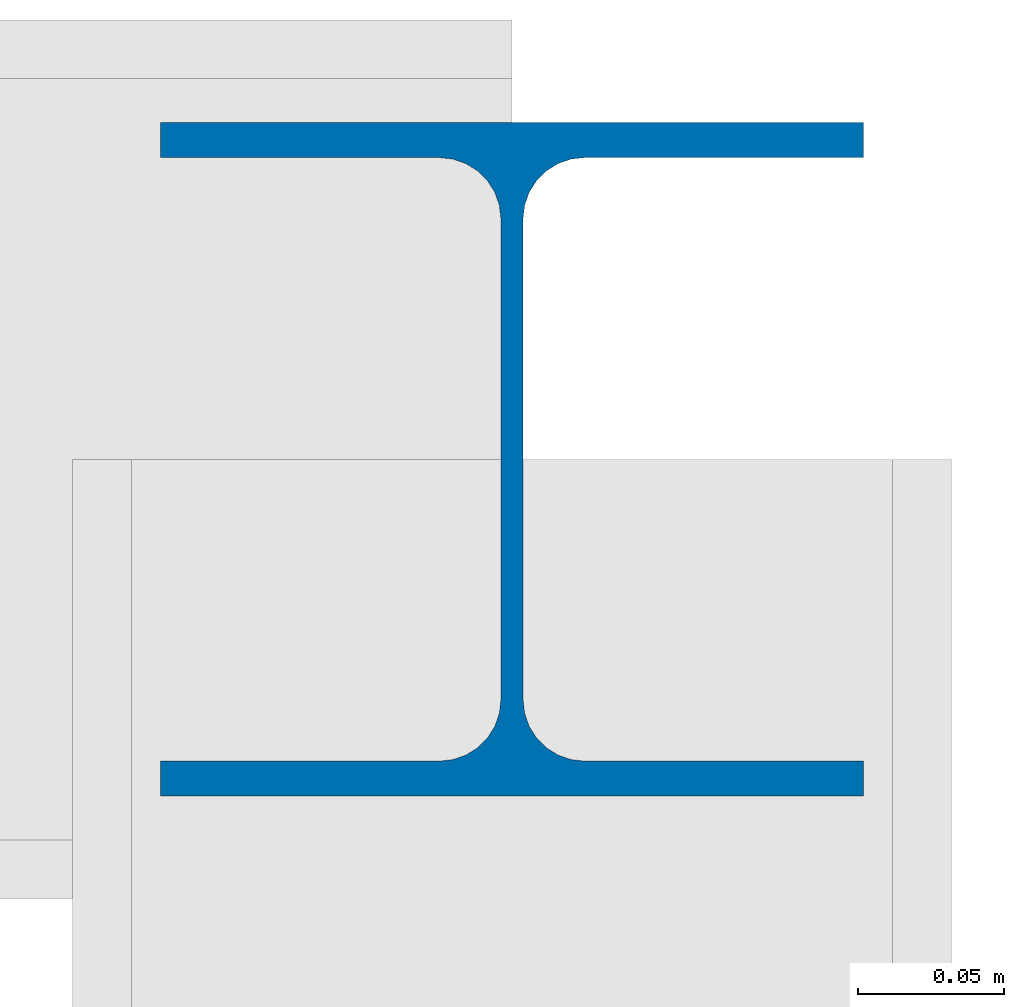
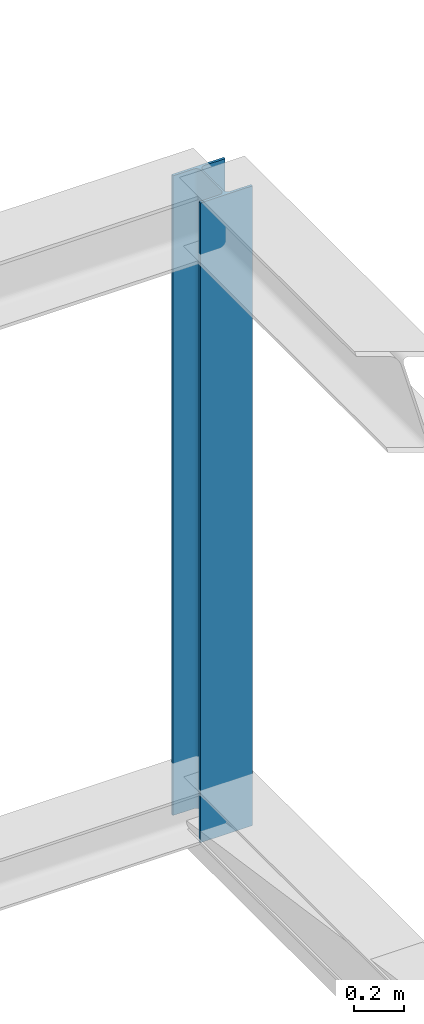
# One storey, part 8 of 34: 1 column.
"""IFC4 building model written with IfcOpenShell, lengths in metres."""

import ifcopenshell
import ifcopenshell.guid

model = None  # the IFC model being written
_history = None  # IfcOwnerHistory: only IFC2X3 demands one
_inside = {}  # id of a spatial element -> (the spatial element, [elements in it])
_under = {}  # id of a project, library or spatial element -> (it, [spatial elements below it])
_declared = {}  # id of a project -> (the project, [libraries it declares])
_typed = {}  # id of a type object -> (the type object, [elements of that type])
_made_of = {}  # id of a material, layer set ... -> (it, [elements and type objects made of it])


def new_model(schema):
    """Start an empty IFC model of exactly this schema.

    Asked for "IFC4X3", IfcOpenShell would pick the latest addendum, in which some entities
    have other attributes; the version numbers below select the first issue.
    IFC2X3 requires an IfcOwnerHistory on every rooted entity: one is made here for all.
    """
    global model, _history
    if schema == "IFC4X3":
        model = ifcopenshell.file(schema_version=(4, 3, 0, 0))
    else:
        model = ifcopenshell.file(schema=schema)
    _inside.clear()
    _under.clear()
    _declared.clear()
    _typed.clear()
    _made_of.clear()
    _history = None
    if model.schema == "IFC2X3":
        org = make("IfcOrganization", Name="unknown")
        user = make(
            "IfcPersonAndOrganization",
            ThePerson=make("IfcPerson", FamilyName="unknown"),
            TheOrganization=org,
        )
        app = make(
            "IfcApplication",
            ApplicationDeveloper=org,
            Version="unknown",
            ApplicationFullName="unknown",
            ApplicationIdentifier="unknown",
        )
        _history = make(
            "IfcOwnerHistory",
            OwningUser=user,
            OwningApplication=app,
            ChangeAction="ADDED",
            CreationDate=0,
        )
    return model


def make(cls, **values):
    """One entity of the class cls with the attributes given. An attribute that is None is left unset."""
    return model.create_entity(
        cls, **{name: value for name, value in values.items() if value is not None}
    )


def rooted(cls, **values):
    """An entity with a GlobalId (a new one), such as an element, a storey or a relation."""
    return make(cls, GlobalId=ifcopenshell.guid.new(), OwnerHistory=_history, **values)


def si_unit(unit_type, name, prefix=None):
    """IfcSIUnit, for example si_unit("LENGTHUNIT", "METRE", prefix="MILLI")."""
    return make("IfcSIUnit", UnitType=unit_type, Prefix=prefix, Name=name)


def assignment(units):
    """IfcUnitAssignment: the units of a project."""
    return None if units is None else make("IfcUnitAssignment", Units=units)


def point(xyz):
    """IfcCartesianPoint."""
    return None if xyz is None else make("IfcCartesianPoint", Coordinates=xyz)


def direction(xyz):
    """IfcDirection."""
    return None if xyz is None else make("IfcDirection", DirectionRatios=xyz)


def frame(location, z_axis=None, x_axis=None):
    """IfcAxis2Placement3D, a coordinate frame: its origin and axes. An axis left out is left unset."""
    return make(
        "IfcAxis2Placement3D",
        Location=point(location),
        Axis=direction(z_axis),
        RefDirection=direction(x_axis),
    )


def frame_2d(location, x_axis=None):
    """IfcAxis2Placement2D, a coordinate frame in the plane: its origin and x axis."""
    return make(
        "IfcAxis2Placement2D", Location=point(location), RefDirection=direction(x_axis)
    )


def origin():
    """The frame at (0, 0, 0) with its axes left unset."""
    return frame((0.0, 0.0, 0.0))


def origin_2d():
    """The frame at (0, 0) in the plane with its x axis left unset."""
    return frame_2d((0.0, 0.0))


def place(relative_to, where):
    """IfcLocalPlacement: puts the frame where relative to a parent placement (None: the world)."""
    return make(
        "IfcLocalPlacement", PlacementRelTo=relative_to, RelativePlacement=where
    )


def context(
    kind, dimensions, precision=None, world=None, true_north=None, identifier=None
):
    """IfcGeometricRepresentationContext, for example the 3D "Model" context."""
    return make(
        "IfcGeometricRepresentationContext",
        ContextIdentifier=identifier,
        ContextType=kind,
        CoordinateSpaceDimension=dimensions,
        Precision=precision,
        WorldCoordinateSystem=world,
        TrueNorth=true_north,
    )


def subcontext(parent, identifier, kind, view, scale=None):
    """IfcGeometricRepresentationSubContext, for example "Body" below "Model"."""
    return make(
        "IfcGeometricRepresentationSubContext",
        ContextIdentifier=identifier,
        ContextType=kind,
        ParentContext=parent,
        TargetScale=scale,
        TargetView=view,
    )


def project(units=None, contexts=None):
    """IfcProject with its units and contexts."""
    return rooted(
        "IfcProject",
        Name="project",
        RepresentationContexts=contexts,
        UnitsInContext=assignment(units),
    )


def spatial(cls, under=None, at=None, **own):
    """A site, building, storey or space (cls), placed at a placement, below another one or the project."""
    s = rooted(cls, ObjectPlacement=at, **own)
    if under is not None:
        _under.setdefault(under.id(), (under, []))[1].append(s)
    return s


def profile(cls, at=None, kind="AREA", **sizes):
    """A parametric profile (cls). Its sizes go by their IFC names, for example OverallWidth=200.0."""
    return make(cls, ProfileType=kind, Position=at, **sizes)


def i_section(**sizes):
    """IfcIShapeProfileDef."""
    return profile("IfcIShapeProfileDef", **sizes)


def extrude(swept, where, along, depth):
    """IfcExtrudedAreaSolid: the profile swept, set in the frame where, extruded along a direction by depth."""
    return make(
        "IfcExtrudedAreaSolid",
        SweptArea=swept,
        Position=where,
        ExtrudedDirection=direction(along),
        Depth=depth,
    )


def shape(context_of_items, identifier, shape_type, items):
    """IfcShapeRepresentation: the items that make up one representation, for example the "Body"."""
    return make(
        "IfcShapeRepresentation",
        ContextOfItems=context_of_items,
        RepresentationIdentifier=identifier,
        RepresentationType=shape_type,
        Items=items,
    )


def material(Name=None, Category=None):
    """IfcMaterial."""
    return make("IfcMaterial", Name=Name, Category=Category)


def material_profile(
    of_material, cross_section, Name=None, Category=None, Priority=None
):
    """IfcMaterialProfile: a cross section and its material."""
    return make(
        "IfcMaterialProfile",
        Name=Name,
        Material=of_material,
        Profile=cross_section,
        Priority=Priority,
        Category=Category,
    )


def profile_set(profiles, Name=None, composite=None):
    """IfcMaterialProfileSet."""
    return make(
        "IfcMaterialProfileSet",
        Name=Name,
        MaterialProfiles=profiles,
        CompositeProfile=composite,
    )


def made_of(thing, what):
    """Note that an element or type object is made of a material, layer set ...; save() writes the relation."""
    if what is not None:
        _made_of.setdefault(what.id(), (what, []))[1].append(thing)
    return thing


def type_object(cls, material=None, **own):
    """A type object (cls), such as IfcWallType, which elements share."""
    return made_of(rooted(cls, **own), material)


def element(
    cls,
    number,
    at=None,
    inside=None,
    cuts=None,
    type_object=None,
    material=None,
    context=None,
    identifier="Body",
    shape_type=None,
    held_by="IfcProductDefinitionShape",
    body=None,
    shapes=None,
    **own,
):
    """One element of the class cls, such as IfcWall. Its Tag is "e" and its number.

    at: its placement. inside: the storey or other place that contains it. cuts: it is an
    opening in that element (IfcRelVoidsElement). A single representation is given by context,
    identifier, shape_type and body (its items); several are given by shapes. held_by: the class
    of the entity that holds the representations. save() writes the other relations.
    """
    e = rooted(cls, Tag="e%d" % number, ObjectPlacement=at, **own)
    if body is not None:
        shapes = [shape(context, identifier, shape_type, body)]
    if shapes is not None:
        e.Representation = make(held_by, Representations=shapes)
    if inside is not None:
        _inside.setdefault(inside.id(), (inside, []))[1].append(e)
    if cuts is not None:
        rooted(
            "IfcRelVoidsElement", RelatingBuildingElement=cuts, RelatedOpeningElement=e
        )
    if type_object is not None:
        _typed.setdefault(type_object.id(), (type_object, []))[1].append(e)
    return made_of(e, material)


def aggregate(whole, parts):
    """IfcRelAggregates: a whole, such as a stair, and the parts it consists of."""
    return rooted("IfcRelAggregates", RelatingObject=whole, RelatedObjects=parts)


def save(model, path):
    """Write the relations noted so far, then the file.

    IfcRelAggregates (storeys below a building ...), IfcRelContainedInSpatialStructure (elements
    in a storey), IfcRelDefinesByType, IfcRelAssociatesMaterial and IfcRelDeclares: one each for
    every whole, place, type object, material and project.
    """
    for whole, parts in _under.values():
        aggregate(whole, parts)
    for where, things in _inside.values():
        rooted(
            "IfcRelContainedInSpatialStructure",
            RelatedElements=things,
            RelatingStructure=where,
        )
    for kind, things in _typed.values():
        rooted("IfcRelDefinesByType", RelatedObjects=things, RelatingType=kind)
    for what, things in _made_of.values():
        rooted("IfcRelAssociatesMaterial", RelatedObjects=things, RelatingMaterial=what)
    for by, libraries in _declared.values():
        rooted("IfcRelDeclares", RelatingContext=by, RelatedDefinitions=libraries)
    model.write(path)


model = new_model("IFC4")

# Units and contexts
model_context = context("Model", 3, precision=1e-05, world=origin(), true_north=direction((0.0, 1.0)))
body_context = subcontext(model_context, "Body", "Model", "MODEL_VIEW")
ifc_project = project(units=[si_unit("LENGTHUNIT", "METRE"), si_unit("AREAUNIT", "SQUARE_METRE"), si_unit("VOLUMEUNIT", "CUBIC_METRE"), si_unit("PLANEANGLEUNIT", "RADIAN"), si_unit("MASSUNIT", "GRAM", prefix="KILO")], contexts=[model_context])

# Site, building, storey
site_placement = place(None, origin())
site = spatial("IfcSite", under=ifc_project, at=site_placement, CompositionType="ELEMENT")
building_placement = place(site_placement, origin())
building = spatial("IfcBuilding", under=site, at=building_placement, Name="Alderhovde Museum", CompositionType="ELEMENT")
storey_placement = place(building_placement, frame((0.0, 0.0, 25.800048828125)))
storey = spatial("IfcBuildingStorey", under=building, at=storey_placement, Name="L05", CompositionType="ELEMENT", Elevation=25.800048828125)

# Column
ifc_material = material(Name="Steel S355J2", Category="steel")
ifc_material_profile = material_profile(ifc_material, i_section(OverallWidth=0.239990234375, OverallDepth=0.22998046875, WebThickness=0.007568359375, FlangeThickness=0.011962890625, FilletRadius=0.02099609375, at=origin_2d()), Name="HEA 240")
ifc_profile_set = profile_set([ifc_material_profile], Name="Steel S355J2")
column_type = type_object("IfcColumnType", Name="COL-HEA240", PredefinedType="COLUMN", material=ifc_profile_set)
column_placement = place(storey_placement, frame((48.0, 112.0, -0.260009765625), z_axis=(0.0, 0.0, 1.0), x_axis=(1.0, 0.0, 0.0)))
element("IfcColumn", 1, at=column_placement, inside=storey, type_object=column_type, Name="L05 Column (48.0, 112.0)", PredefinedType="COLUMN", context=body_context, shape_type="SweptSolid", body=[
    extrude(i_section(OverallWidth=0.239990234375, OverallDepth=0.22998046875, WebThickness=0.007568359375, FlangeThickness=0.011962890625, FilletRadius=0.02099609375, at=origin_2d()), origin(), (0.0, 0.0, 1.0), 3.10986328125),
])

save(model, "model.ifc")
